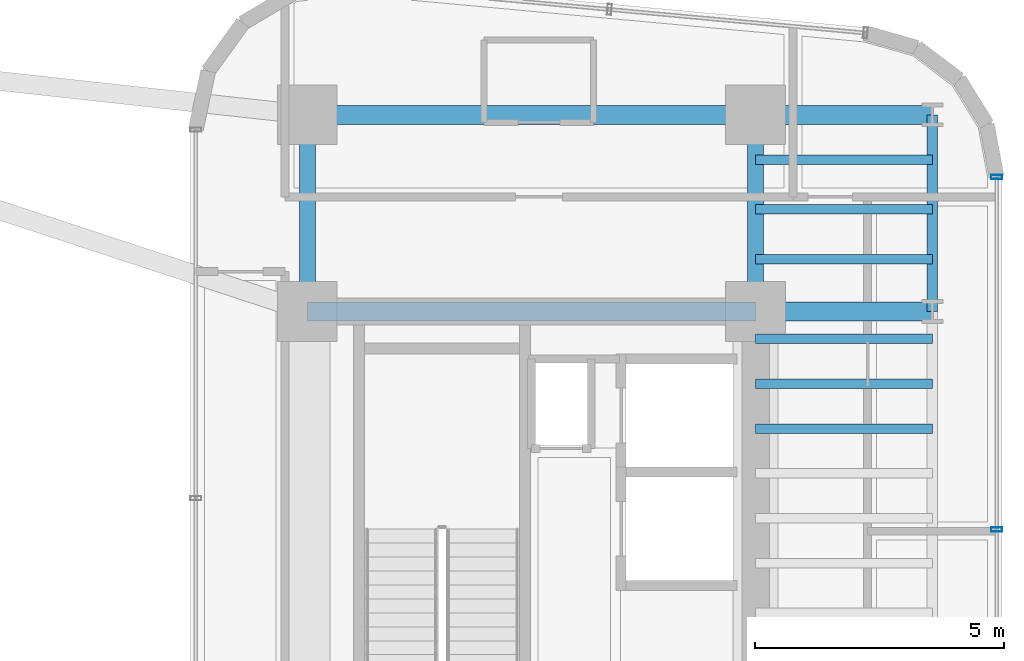
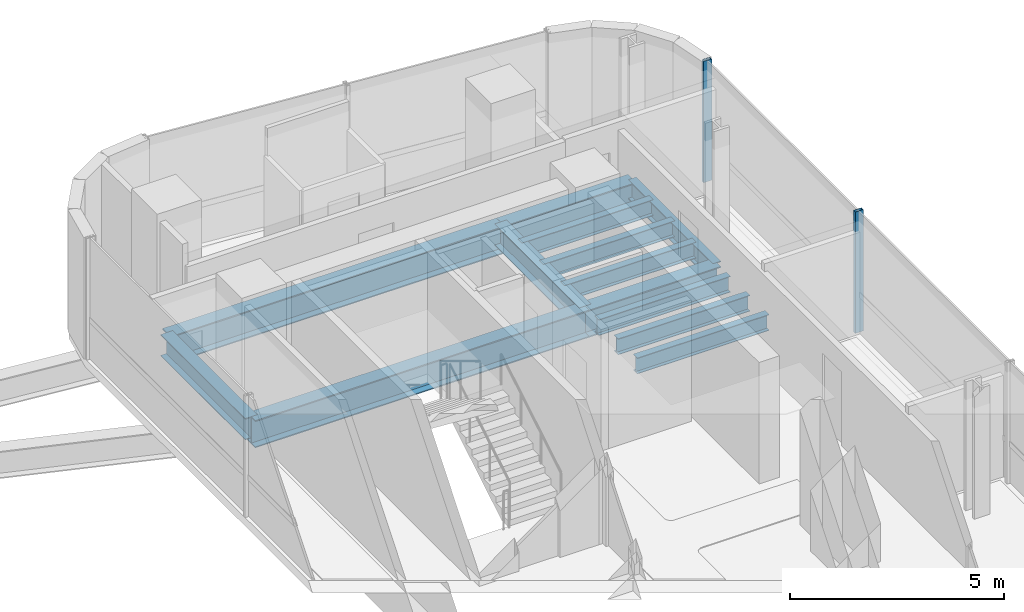
# One storey, part 19 of 36: 13 beams, 2 members, 1 element without a shape of its own.
"""IFC4 building model written with IfcOpenShell, lengths in metres."""

from ifc_helpers import new_model, si_unit, direction, frame, origin, origin_2d, place, context, subcontext, project, spatial, hollow_rectangle, i_section, extrude, source, transform, mapped, material, material_profile, profile_set, type_object, element, aggregate, save


model = new_model("IFC4")

# Units and contexts
model_context = context("Model", 3, precision=1e-05, world=origin(), true_north=direction((0.0, 1.0)))
body_context = subcontext(model_context, "Body", "Model", "MODEL_VIEW")
ifc_project = project(units=[si_unit("LENGTHUNIT", "METRE"), si_unit("AREAUNIT", "SQUARE_METRE"), si_unit("VOLUMEUNIT", "CUBIC_METRE"), si_unit("PLANEANGLEUNIT", "RADIAN"), si_unit("MASSUNIT", "GRAM", prefix="KILO")], contexts=[model_context])

# Site, building, storey
site_placement = place(None, origin())
site = spatial("IfcSite", under=ifc_project, at=site_placement, CompositionType="ELEMENT")
building_placement = place(site_placement, origin())
building = spatial("IfcBuilding", under=site, at=building_placement, Name="Valdorenza Pilgrim Sanctuary Tower", CompositionType="ELEMENT")
storey_placement = place(building_placement, frame((0.0, 0.0, 153.800048828125)))
storey = spatial("IfcBuildingStorey", under=building, at=storey_placement, Name="L39", CompositionType="ELEMENT", Elevation=153.800048828125)

# Beams
ifc_material_1 = material(Name="Steel ASTM A992 Grade 50", Category="steel")
ifc_material_profile_1 = material_profile(ifc_material_1, i_section(OverallWidth=0.323974609375, OverallDepth=0.611083984375, WebThickness=0.0126953125, FlangeThickness=0.01904296875, at=origin_2d()), Name="W24X104")
ifc_profile_set_1 = profile_set([ifc_material_profile_1], Name="Steel ASTM A992 Grade 50")
beam_type_1 = type_object("IfcBeamType", Name="STR-BM-GRD-W24B", PredefinedType="BEAM", material=ifc_profile_set_1)
shared_shape_1 = source(origin(), body_context, "Body", "SweptSolid", [
    extrude(i_section(OverallWidth=0.323974609375, OverallDepth=0.611083984375, WebThickness=0.0126953125, FlangeThickness=0.01904296875, at=origin_2d()), origin(), (0.0, 0.0, 1.0), 3.949951171875),
])
for number, where, z_axis, x_axis, name in (
    (1, (15.85009765625, 9.550048828125, -0.545654296875), (0.0, 1.0, 0.0), (-1.0, 0.0, 0.0), "L39 Core Tie Girder CB-W-N1N2"),
    (2, (24.85009765625, 9.550048828125, -0.545654296875), (0.0, 1.0, 0.0), (-1.0, 0.0, 0.0), "L39 Core Tie Girder CB-E-N1N2"),
):
    element("IfcBeam", number, at=place(storey_placement, frame(where, z_axis=z_axis, x_axis=x_axis)), inside=storey, type_object=beam_type_1, Name=name, PredefinedType="BEAM", context=body_context, shape_type="MappedRepresentation", body=[
        mapped(shared_shape_1, transform((0.0, 0.0, 0.0), x_axis=(1.0, 0.0, 0.0), y_axis=(0.0, 1.0, 0.0), z_axis=(0.0, 0.0, 1.0), scale=1.0)),
    ])
ifc_material_profile_2 = material_profile(ifc_material_1, i_section(OverallWidth=0.214111328125, OverallDepth=0.549072265625, WebThickness=0.0146484375, FlangeThickness=0.023681640625, at=origin_2d()), Name="W21X93")
ifc_profile_set_2 = profile_set([ifc_material_profile_2], Name="Steel ASTM A992 Grade 50")
beam_type_2 = type_object("IfcBeamType", Name="STR-BM-SPN-W21A", PredefinedType="SPANDREL", material=ifc_profile_set_2)
shared_shape_2 = source(origin(), body_context, "Body", "SweptSolid", [
    extrude(i_section(OverallWidth=0.214111328125, OverallDepth=0.549072265625, WebThickness=0.0146484375, FlangeThickness=0.023681640625, at=origin_2d()), origin(), (0.0, 0.0, 1.0), 3.949951171875),
])
beam_placement = place(storey_placement, frame((28.39990234375, 9.550048828125, -0.5146484375), z_axis=(0.0, 1.0, 0.0), x_axis=(-1.0, 0.0, 0.0)))
element("IfcBeam", 3, at=beam_placement, inside=storey, type_object=beam_type_2, Name="L39 Spandrel Beam WB-E-N1N2", PredefinedType="SPANDREL", context=body_context, shape_type="MappedRepresentation", body=[
    mapped(shared_shape_2, transform((0.0, 0.0, 0.0), x_axis=(1.0, 0.0, 0.0), y_axis=(0.0, 1.0, 0.0), z_axis=(0.0, 0.0, 1.0), scale=1.0)),
])
ifc_material_profile_3 = material_profile(ifc_material_1, i_section(OverallWidth=0.382080078125, OverallDepth=0.779052734375, WebThickness=0.01806640625, FlangeThickness=0.030029296875, at=origin_2d()), Name="W30X191")
ifc_profile_set_3 = profile_set([ifc_material_profile_3], Name="Steel ASTM A992 Grade 50")
beam_type_3 = type_object("IfcBeamType", Name="STR-BM-GRD-W30", PredefinedType="BEAM", material=ifc_profile_set_3)
shared_shape_3 = source(origin(), body_context, "Body", "SweptSolid", [
    extrude(i_section(OverallWidth=0.382080078125, OverallDepth=0.779052734375, WebThickness=0.01806640625, FlangeThickness=0.030029296875, at=origin_2d()), origin(), (0.0, 0.0, 1.0), 9.0),
])
for number, where, z_axis, x_axis, name in (
    (4, (15.85009765625, 9.550048828125, -0.629638671875), (1.0, 0.0, 0.0), (0.0, 1.0, 0.0), "L39 Floor Girder CB-XC-N1"),
    (5, (15.85009765625, 13.5, -0.629638671875), (1.0, 0.0, 0.0), (0.0, 1.0, 0.0), "L39 Floor Girder CB-XC-N2"),
):
    element("IfcBeam", number, at=place(storey_placement, frame(where, z_axis=z_axis, x_axis=x_axis)), inside=storey, type_object=beam_type_3, Name=name, PredefinedType="BEAM", context=body_context, shape_type="MappedRepresentation", body=[
        mapped(shared_shape_3, transform((0.0, 0.0, 0.0), x_axis=(1.0, 0.0, 0.0), y_axis=(0.0, 1.0, 0.0), z_axis=(0.0, 0.0, 1.0), scale=1.0)),
    ])
shared_shape_4 = source(origin(), body_context, "Body", "SweptSolid", [
    extrude(i_section(OverallWidth=0.382080078125, OverallDepth=0.779052734375, WebThickness=0.01806640625, FlangeThickness=0.030029296875, at=origin_2d()), origin(), (0.0, 0.0, 1.0), 3.5498046875),
])
for number, where, z_axis, x_axis, name in (
    (6, (24.85009765625, 9.550048828125, -0.629638671875), (1.0, 0.0, 0.0), (0.0, 1.0, 0.0), "L39 Floor Girder WB-XE-N1"),
    (7, (24.85009765625, 13.5, -0.629638671875), (1.0, 0.0, 0.0), (0.0, 1.0, 0.0), "L39 Floor Girder WB-XE-N2"),
):
    element("IfcBeam", number, at=place(storey_placement, frame(where, z_axis=z_axis, x_axis=x_axis)), inside=storey, type_object=beam_type_3, Name=name, PredefinedType="BEAM", context=body_context, shape_type="MappedRepresentation", body=[
        mapped(shared_shape_4, transform((0.0, 0.0, 0.0), x_axis=(1.0, 0.0, 0.0), y_axis=(0.0, 1.0, 0.0), z_axis=(0.0, 0.0, 1.0), scale=1.0)),
    ])
ifc_material_profile_4 = material_profile(ifc_material_1, i_section(OverallWidth=0.19091796875, OverallDepth=0.45703125, WebThickness=0.009033203125, FlangeThickness=0.014404296875, at=origin_2d()), Name="W18X50")
ifc_profile_set_4 = profile_set([ifc_material_profile_4], Name="Steel ASTM A992 Grade 50")
beam_type_4 = type_object("IfcBeamType", Name="STR-BM-JST-W18B", PredefinedType="JOIST", material=ifc_profile_set_4)
shared_shape_5 = source(origin(), body_context, "Body", "SweptSolid", [
    extrude(i_section(OverallWidth=0.19091796875, OverallDepth=0.45703125, WebThickness=0.009033203125, FlangeThickness=0.014404296875, at=origin_2d()), origin(), (0.0, 0.0, 1.0), 3.5498046875),
])
for number, where, z_axis, x_axis, name in (
    (8, (24.85009765625, 7.199951171875, -0.468505859375), (1.0, 0.0, 0.0), (0.0, 1.0, 0.0), "L39 Composite Floor Joist JST-WB-16"),
    (9, (24.85009765625, 8.10009765625, -0.468505859375), (1.0, 0.0, 0.0), (0.0, 1.0, 0.0), "L39 Composite Floor Joist JST-WB-17"),
    (10, (24.85009765625, 9.0, -0.468505859375), (1.0, 0.0, 0.0), (0.0, 1.0, 0.0), "L39 Composite Floor Joist JST-WB-18"),
    (11, (24.85009765625, 10.60009765625, -0.468505859375), (1.0, 0.0, 0.0), (0.0, 1.0, 0.0), "L39 Composite Floor Joist JST-WB-19"),
    (12, (24.85009765625, 11.60009765625, -0.468505859375), (1.0, 0.0, 0.0), (0.0, 1.0, 0.0), "L39 Composite Floor Joist JST-WB-20"),
    (13, (24.85009765625, 12.60009765625, -0.468505859375), (1.0, 0.0, 0.0), (0.0, 1.0, 0.0), "L39 Composite Floor Joist JST-WB-21"),
):
    element("IfcBeam", number, at=place(storey_placement, frame(where, z_axis=z_axis, x_axis=x_axis)), inside=storey, type_object=beam_type_4, Name=name, PredefinedType="JOIST", context=body_context, shape_type="MappedRepresentation", body=[
        mapped(shared_shape_5, transform((0.0, 0.0, 0.0), x_axis=(1.0, 0.0, 0.0), y_axis=(0.0, 1.0, 0.0), z_axis=(0.0, 0.0, 1.0), scale=1.0)),
    ])

# Curtain wall, members
ifc_material_2 = material(Name="Curtain-wall IGU glazing", Category="glass")
curtain_wall_type = type_object("IfcCurtainWallType", Name="CW-SYS-03", PredefinedType="NOTDEFINED", material=ifc_material_2)
curtain_wall_placement = place(storey_placement, origin())
curtain_wall = element("IfcCurtainWall", 14, at=curtain_wall_placement, inside=storey, type_object=curtain_wall_type, Name="L39 Curtain Wall CW-L39-2-11", PredefinedType="NOTDEFINED")
ifc_material_3 = material(Name="Anodised aluminium AW-6060", Category="aluminium")
ifc_material_profile_5 = material_profile(ifc_material_3, hollow_rectangle(XDim=0.0849609375, YDim=0.219970703125, WallThickness=0.0048828125, at=origin_2d()), Name="ALU-M 220x85x5")
ifc_profile_set_5 = profile_set([ifc_material_profile_5], Name="Anodised aluminium AW-6060")
member_type = type_object("IfcMemberType", Name="CW-MUL-03", PredefinedType="MULLION", material=ifc_profile_set_5)
shared_shape_6 = source(origin(), body_context, "Body", "SweptSolid", [
    extrude(hollow_rectangle(XDim=0.0849609375, YDim=0.219970703125, WallThickness=0.0048828125, at=origin_2d()), origin(), (0.0, 0.0, 1.0), 3.4599609375),
])
member_1_placement = place(storey_placement, frame((29.68994140625, 12.253173828125, 0.0), z_axis=(0.0, 0.0, 1.0), x_axis=(0.0, -1.0, 0.0)))
member_1 = element("IfcMember", 15, at=member_1_placement, type_object=member_type, Name="CW-L39-2-11 Mullion 1", PredefinedType="MULLION", context=body_context, shape_type="MappedRepresentation", body=[
    mapped(shared_shape_6, transform((0.0, 0.0, 0.0), x_axis=(1.0, 0.0, 0.0), y_axis=(0.0, 1.0, 0.0), z_axis=(0.0, 0.0, 1.0), scale=1.0)),
])
member_2_placement = place(storey_placement, frame((29.68994140625, 5.17236328125, 0.0), z_axis=(0.0, 0.0, 1.0), x_axis=(0.0, -1.0, 0.0)))
member_2 = element("IfcMember", 16, at=member_2_placement, type_object=member_type, Name="CW-L39-2-11 Mullion 2", PredefinedType="MULLION", context=body_context, shape_type="MappedRepresentation", body=[
    mapped(shared_shape_6, transform((0.0, 0.0, 0.0), x_axis=(1.0, 0.0, 0.0), y_axis=(0.0, 1.0, 0.0), z_axis=(0.0, 0.0, 1.0), scale=1.0)),
])
aggregate(curtain_wall, [member_1, member_2])

save(model, "model.ifc")
